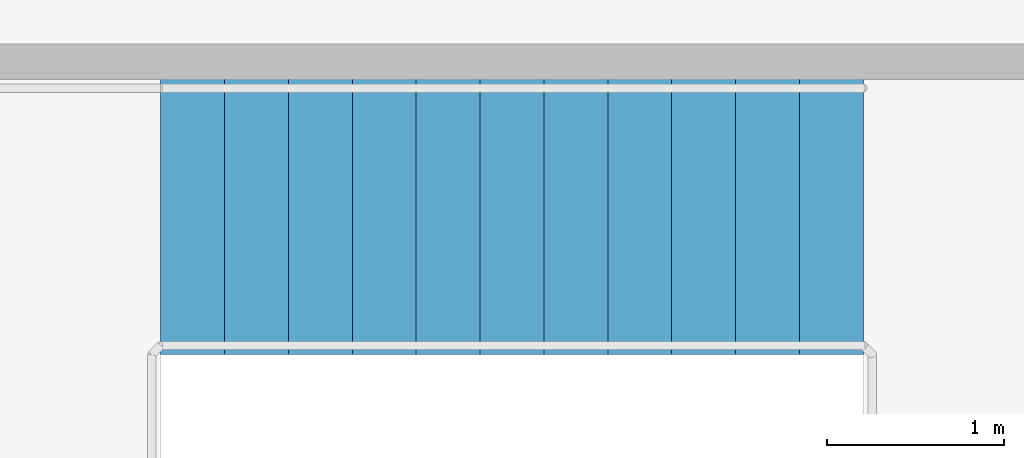
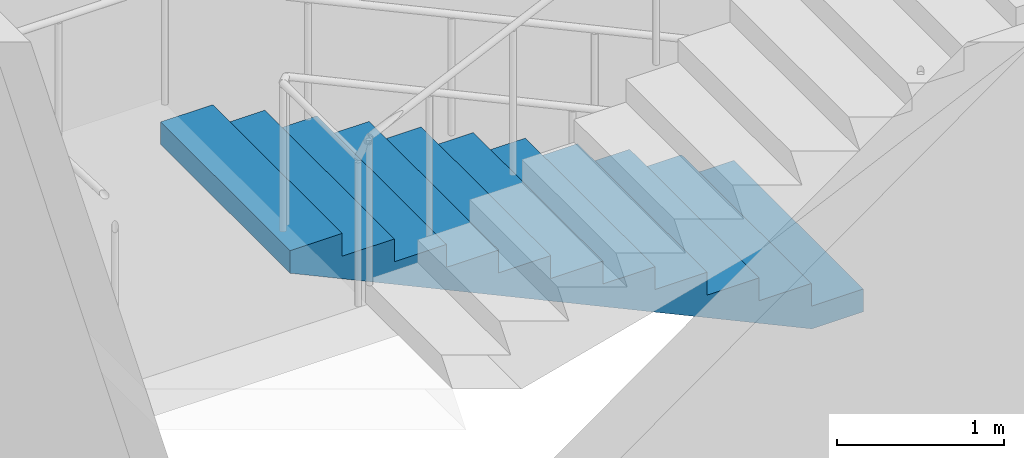
# One storey, part 10 of 11: 1 stair flight, 1 element without a shape of its own.
"""IFC4 building model written with IfcOpenShell, lengths in metres."""

from ifc_helpers import new_model, si_unit, direction, frame, origin, place, context, subcontext, project, spatial, polyline, outline, extrude, material, type_object, element, aggregate, save


model = new_model("IFC4")

# Units and contexts
model_context = context("Model", 3, precision=1e-05, world=origin(), true_north=direction((0.0, 1.0)))
body_context = subcontext(model_context, "Body", "Model", "MODEL_VIEW")
ifc_project = project(units=[si_unit("LENGTHUNIT", "METRE"), si_unit("AREAUNIT", "SQUARE_METRE"), si_unit("VOLUMEUNIT", "CUBIC_METRE"), si_unit("PLANEANGLEUNIT", "RADIAN"), si_unit("MASSUNIT", "GRAM", prefix="KILO")], contexts=[model_context])

# Site, building, storey
site_placement = place(None, origin())
site = spatial("IfcSite", under=ifc_project, at=site_placement, CompositionType="ELEMENT")
building_placement = place(site_placement, origin())
building = spatial("IfcBuilding", under=site, at=building_placement, Name="Kemantara Hotel Tower", CompositionType="ELEMENT")
storey_placement = place(building_placement, frame((0.0, 0.0, 322.199951171875)))
storey = spatial("IfcBuildingStorey", under=building, at=storey_placement, Name="L81", CompositionType="ELEMENT", Elevation=322.199951171875)

# Stair, stair flight
ifc_material = material(Name="Concrete fc 40 MPa", Category="concrete")
stair_type = type_object("IfcStairType", Name="Stair 1550 wide 24 risers of 167 x 360 mm", PredefinedType="HALF_TURN_STAIR", material=ifc_material)
stair_placement = place(storey_placement, origin())
stair = element("IfcStair", 1, at=stair_placement, inside=storey, type_object=stair_type, Name="L81 Exit stair ST4", PredefinedType="HALF_TURN_STAIR")
stair_flight_type = type_object("IfcStairFlightType", Name="Stair flight 1550 wide 167 x 360 mm", PredefinedType="STRAIGHT", material=ifc_material)
stair_flight_placement = place(storey_placement, frame((7.949951171875, 61.22509765625, 0.0), z_axis=(0.0, 0.0, 1.0), x_axis=(-1.0, 0.0, 0.0)))
stair_flight = element("IfcStairFlight", 2, at=stair_flight_placement, type_object=stair_flight_type, Name="ST4 flight 1", NumberOfRisers=12, NumberOfTreads=11, PredefinedType="STRAIGHT", RiserHeight=0.166666667, TreadLength=0.36, context=body_context, shape_type="SweptSolid", body=[
    extrude(outline(polyline([(0.0, 0.0), (0.0, 0.166748046875), (0.360107421875, 0.166748046875), (0.360107421875, 0.333251953125), (0.719970703125, 0.333251953125), (0.719970703125, 0.5), (1.080078125, 0.5), (1.080078125, 0.666748046875), (1.43994140625, 0.666748046875), (1.43994140625, 0.833251953125), (1.800048828125, 0.833251953125), (1.800048828125, 1.0), (2.159912109375, 1.0), (2.159912109375, 1.166748046875), (2.52001953125, 1.166748046875), (2.52001953125, 1.333251953125), (2.8798828125, 1.333251953125), (2.8798828125, 1.5), (3.239990234375, 1.5), (3.239990234375, 1.666748046875), (3.60009765625, 1.666748046875), (3.60009765625, 1.833251953125), (3.9599609375, 1.833251953125), (3.9599609375, 2.0), (3.9599609375, 1.668212890625), (0.356689453125, 0.0), (0.0, 0.0)])), frame((0.0, 0.77490234375, 0.0), z_axis=(0.0, -1.0, 0.0), x_axis=(1.0, 0.0, 0.0)), (0.0, 0.0, 1.0), 1.550048828125),
])
aggregate(stair, [stair_flight])

save(model, "model.ifc")
